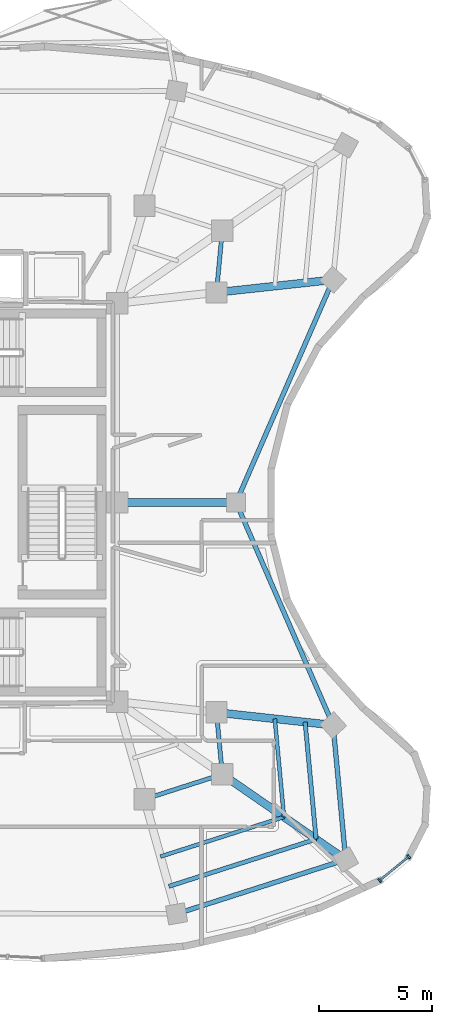
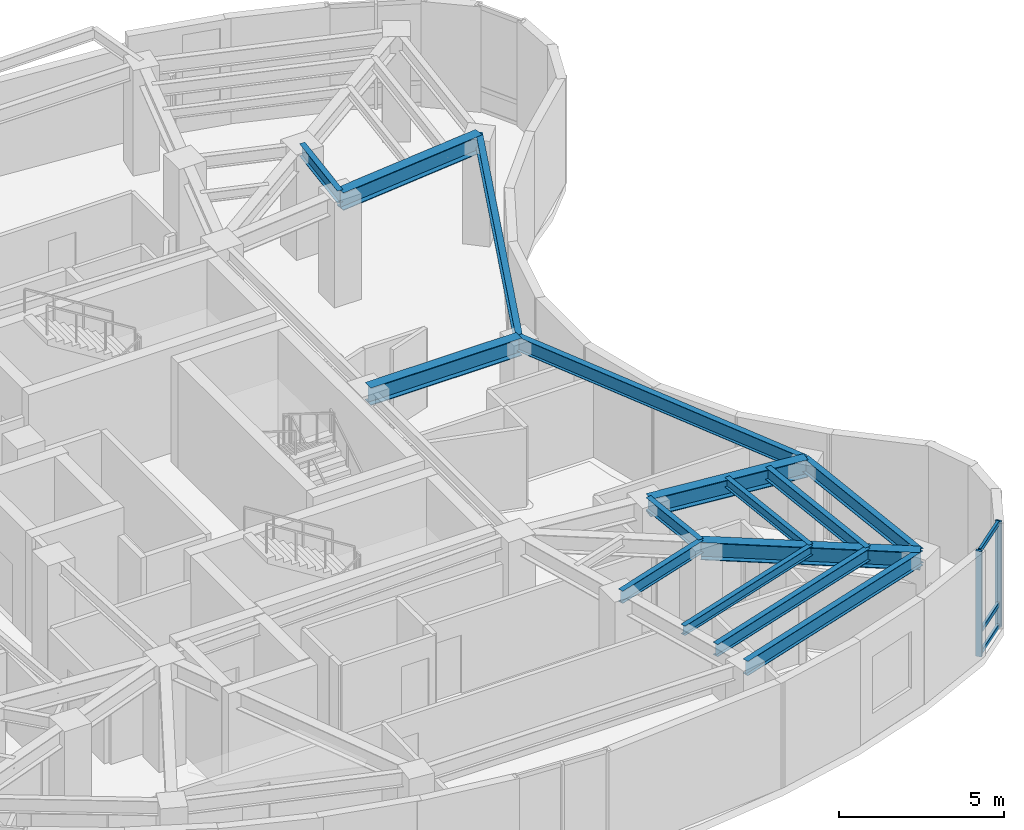
# One storey, part 4 of 14: 15 beams, 5 members, 1 element without a shape of its own.
"""IFC4 building model written with IfcOpenShell, lengths in metres."""

from ifc_helpers import new_model, si_unit, direction, frame, origin, origin_2d, place, context, subcontext, project, spatial, rectangle, i_section, extrude, material, layer, layer_set, material_profile, profile_set, type_object, element, aggregate, save


model = new_model("IFC4")

# Units and contexts
model_context = context("Model", 3, precision=1e-05, world=origin(), true_north=direction((0.0, 1.0)))
body_context = subcontext(model_context, "Body", "Model", "MODEL_VIEW")
ifc_project = project(units=[si_unit("LENGTHUNIT", "METRE"), si_unit("AREAUNIT", "SQUARE_METRE"), si_unit("VOLUMEUNIT", "CUBIC_METRE"), si_unit("PLANEANGLEUNIT", "RADIAN"), si_unit("MASSUNIT", "GRAM", prefix="KILO")], contexts=[model_context])

# Site, building, storey
site_placement = place(None, origin())
site = spatial("IfcSite", under=ifc_project, at=site_placement, CompositionType="ELEMENT")
building_placement = place(site_placement, origin())
building = spatial("IfcBuilding", under=site, at=building_placement, Name="Korentha Bioscience Tower", CompositionType="ELEMENT")
storey_placement = place(building_placement, frame((0.0, 0.0, 264.60009765625)))
storey = spatial("IfcBuildingStorey", under=building, at=storey_placement, Name="L61", CompositionType="ELEMENT", Elevation=264.60009765625)

# Beams
ifc_material_1 = material(Name="Steel S355", Category="steel")
ifc_material_profile_1 = material_profile(ifc_material_1, i_section(OverallWidth=0.18994140625, OverallDepth=0.45703125, WebThickness=0.009033203125, FlangeThickness=0.014404296875, at=origin_2d()), Name="Steel S355")
ifc_profile_set_1 = profile_set([ifc_material_profile_1], Name="Steel S355 (MB-460)")
beam_type_1 = type_object("IfcBeamType", Name="Mid-Ring Tie Girder W460x74", PredefinedType="BEAM", material=ifc_profile_set_1)
beam_1_placement = place(storey_placement, frame((38.76416015625, 13.81103515625, 3.67138671875), z_axis=(0.952264747125, 0.305273404318, 0.0), x_axis=(-0.305273404318, 0.952264747125, 0.0)))
element("IfcBeam", 1, at=beam_1_placement, inside=storey, type_object=beam_type_1, Name="L61 Mid-Ring Tie Girder 12", PredefinedType="BEAM", context=body_context, shape_type="SweptSolid", body=[
    extrude(i_section(OverallWidth=0.18994140625, OverallDepth=0.45703125, WebThickness=0.009033203125, FlangeThickness=0.014404296875, at=origin_2d()), origin(), (0.0, 0.0, 1.0), 3.630859375),
])
for number, where, z_axis, x_axis, name in (
    (2, (42.2216796875, 14.91943359375, 3.67138671875), (-0.093348923855, 0.995633455854, 0.0), (-0.995633455854, -0.093348923855, 0.0), "L61 Mid-Ring Tie Girder 13"),
    (3, (41.9638671875, 36.330810546875, 3.67138671875), (0.093348923855, 0.995633455854, 0.0), (-0.995633455854, 0.093348923855, 0.0), "L61 Mid-Ring Tie Girder 16"),
):
    element("IfcBeam", number, at=place(storey_placement, frame(where, z_axis=z_axis, x_axis=x_axis)), inside=storey, type_object=beam_type_1, Name=name, PredefinedType="BEAM", context=body_context, shape_type="SweptSolid", body=[
        extrude(i_section(OverallWidth=0.18994140625, OverallDepth=0.45703125, WebThickness=0.009033203125, FlangeThickness=0.014404296875, at=origin_2d()), origin(), (0.0, 0.0, 1.0), 2.76171875),
    ])

# Curtain wall, members
ifc_material_2 = material(Name="Thermally Broken Aluminium Frame", Category="aluminium")
ifc_layer = layer(ifc_material_2, 0.219970703125, Name="Thermally Broken Aluminium Frame")
ifc_layer_set = layer_set([ifc_layer], Name="Thermally Broken Aluminium Frame (CW-T1)")
curtain_wall_type = type_object("IfcCurtainWallType", Name="Standard Bioscience Lab Unitised Curtain Wall CW-T1", PredefinedType="USERDEFINED", material=ifc_layer_set)
curtain_wall_placement = place(storey_placement, origin())
curtain_wall = element("IfcCurtainWall", 4, at=curtain_wall_placement, inside=storey, type_object=curtain_wall_type, Name="L61 Curtain Wall 37", ObjectType="UNITISED", PredefinedType="USERDEFINED")
ifc_material_3 = material(Name="Anodised Aluminium 6063-T6", Category="aluminium")
ifc_material_profile_2 = material_profile(ifc_material_3, rectangle(XDim=0.090087890625, YDim=0.199951171875, at=origin_2d()), Name="Anodised Aluminium 6063-T6")
ifc_profile_set_2 = profile_set([ifc_material_profile_2], Name="Anodised Aluminium 6063-T6 (CW-MUL)")
member_type_1 = type_object("IfcMemberType", Name="Mullion RECT 90x200", PredefinedType="MULLION", material=ifc_profile_set_2)
member_1_placement = place(storey_placement, frame((49.212646484375, 10.203125, 0.0), z_axis=(0.0, 0.0, 1.0), x_axis=(0.774235415138, 0.632897718393, 0.0)))
member_1 = element("IfcMember", 5, at=member_1_placement, type_object=member_type_1, Name="CW-L61-37 Mullion 1", PredefinedType="MULLION", context=body_context, shape_type="SweptSolid", body=[
    extrude(rectangle(XDim=0.090087890625, YDim=0.199951171875, at=origin_2d()), origin(), (0.0, 0.0, 1.0), 3.89990234375),
])
member_2_placement = place(storey_placement, frame((50.507080078125, 11.260986328125, 0.0), z_axis=(0.0, 0.0, 1.0), x_axis=(0.774235415138, 0.632897718393, 0.0)))
member_2 = element("IfcMember", 6, at=member_2_placement, type_object=member_type_1, Name="CW-L61-37 Mullion 2", PredefinedType="MULLION", context=body_context, shape_type="SweptSolid", body=[
    extrude(rectangle(XDim=0.090087890625, YDim=0.199951171875, at=origin_2d()), origin(), (0.0, 0.0, 1.0), 3.89990234375),
])

# Beams
ifc_material_profile_3 = material_profile(ifc_material_1, i_section(OverallWidth=0.208984375, OverallDepth=0.532958984375, WebThickness=0.01025390625, FlangeThickness=0.015625, at=origin_2d()), Name="Steel S355")
ifc_profile_set_3 = profile_set([ifc_material_profile_3], Name="Steel S355 (SB-530)")
beam_type_2 = type_object("IfcBeamType", Name="Perimeter Ring Spandrel Girder W530x92", PredefinedType="SPANDREL", material=ifc_profile_set_3)
beam_2_placement = place(storey_placement, frame((40.189453125, 8.7177734375, 3.63330078125), z_axis=(0.952281827014, 0.305220120468, 0.0), x_axis=(-0.305220120468, 0.952281827014, 0.0)))
element("IfcBeam", 7, at=beam_2_placement, inside=storey, type_object=beam_type_2, Name="L61 Perimeter Spandrel Girder 12", PredefinedType="SPANDREL", context=body_context, shape_type="SweptSolid", body=[
    extrude(i_section(OverallWidth=0.208984375, OverallDepth=0.532958984375, WebThickness=0.01025390625, FlangeThickness=0.015625, at=origin_2d()), origin(), (0.0, 0.0, 1.0), 7.893310546875),
])
beam_3_placement = place(storey_placement, frame((47.7060546875, 11.126953125, 3.63330078125), z_axis=(-0.093365902602, 0.995631863809, 0.0), x_axis=(-0.995631863809, -0.093365902602, 0.0)))
element("IfcBeam", 8, at=beam_3_placement, inside=storey, type_object=beam_type_2, Name="L61 Perimeter Spandrel Girder 13", PredefinedType="SPANDREL", context=body_context, shape_type="SweptSolid", body=[
    extrude(i_section(OverallWidth=0.208984375, OverallDepth=0.532958984375, WebThickness=0.01025390625, FlangeThickness=0.015625, at=origin_2d()), origin(), (0.0, 0.0, 1.0), 6.003662109375),
])
for number, where, z_axis, x_axis, name in (
    (9, (47.1455078125, 17.1044921875, 3.63330078125), (-0.399437259894, 0.916760533296, 0.0), (-0.916760533296, -0.399437259894, 0.0), "L61 Perimeter Spandrel Girder 14"),
    (10, (42.833984375, 27.0, 3.63330078125), (0.399437259894, 0.916760533296, 0.0), (-0.916760533296, 0.399437259894, 0.0), "L61 Perimeter Spandrel Girder 15"),
):
    element("IfcBeam", number, at=place(storey_placement, frame(where, z_axis=z_axis, x_axis=x_axis)), inside=storey, type_object=beam_type_2, Name=name, PredefinedType="SPANDREL", context=body_context, shape_type="SweptSolid", body=[
        extrude(i_section(OverallWidth=0.208984375, OverallDepth=0.532958984375, WebThickness=0.01025390625, FlangeThickness=0.015625, at=origin_2d()), origin(), (0.0, 0.0, 1.0), 10.7939453125),
    ])
ifc_material_profile_4 = material_profile(ifc_material_1, i_section(OverallWidth=0.18994140625, OverallDepth=0.45703125, WebThickness=0.009033203125, FlangeThickness=0.014404296875, at=origin_2d()), Name="Steel S355")
ifc_profile_set_4 = profile_set([ifc_material_profile_4], Name="Steel S355 (RB-460)")
beam_type_3 = type_object("IfcBeamType", Name="Radial Laboratory Beam W460x74", PredefinedType="BEAM", material=ifc_profile_set_4)
beam_4_placement = place(storey_placement, frame((39.847412109375, 9.940185546875, 3.67138671875), z_axis=(0.952283347378, 0.305215376917, 0.0), x_axis=(-0.305215376917, 0.952283347378, 0.0)))
element("IfcBeam", 11, at=beam_4_placement, inside=storey, type_object=beam_type_3, Name="L61 Secondary Floor Beam JSTO-12", PredefinedType="BEAM", context=body_context, shape_type="SweptSolid", body=[
    extrude(i_section(OverallWidth=0.18994140625, OverallDepth=0.45703125, WebThickness=0.009033203125, FlangeThickness=0.014404296875, at=origin_2d()), origin(), (0.0, 0.0, 1.0), 6.870361328125),
])
beam_5_placement = place(storey_placement, frame((46.389892578125, 12.037109375, 3.67138671875), z_axis=(-0.093391362324, 0.995629475982, 0.0), x_axis=(-0.995629475982, -0.093391362324, 0.0)))
element("IfcBeam", 12, at=beam_5_placement, inside=storey, type_object=beam_type_3, Name="L61 Secondary Floor Beam JSTO-13", PredefinedType="BEAM", context=body_context, shape_type="SweptSolid", body=[
    extrude(i_section(OverallWidth=0.18994140625, OverallDepth=0.45703125, WebThickness=0.009033203125, FlangeThickness=0.014404296875, at=origin_2d()), origin(), (0.0, 0.0, 1.0), 5.225830078125),
])
ifc_material_profile_5 = material_profile(ifc_material_1, i_section(OverallWidth=0.35009765625, OverallDepth=0.64990234375, WebThickness=0.01611328125, FlangeThickness=0.02490234375, at=origin_2d()), Name="Steel S355")
ifc_profile_set_5 = profile_set([ifc_material_profile_5], Name="Steel S355 (RB-650)")
beam_type_4 = type_object("IfcBeamType", Name="Radial Laboratory Girder CVS 650x208", PredefinedType="BEAM", material=ifc_profile_set_5)
beam_6_placement = place(storey_placement, frame((42.2216796875, 14.91943359375, 3.574951171875), z_axis=(0.822500508627, -0.568764374155, 0.0), x_axis=(0.568764374155, 0.822500508627, 0.0)))
element("IfcBeam", 13, at=beam_6_placement, inside=storey, type_object=beam_type_4, Name="L61 Outer Radial Girder 13", PredefinedType="BEAM", context=body_context, shape_type="SweptSolid", body=[
    extrude(i_section(OverallWidth=0.35009765625, OverallDepth=0.64990234375, WebThickness=0.01611328125, FlangeThickness=0.02490234375, at=origin_2d()), origin(), (0.0, 0.0, 1.0), 6.66796875),
])
beam_7_placement = place(storey_placement, frame((41.9638671875, 17.669189453125, 3.574951171875), z_axis=(0.994114014358, -0.108338942481, 0.0), x_axis=(0.108338942481, 0.994114014358, 0.0)))
element("IfcBeam", 14, at=beam_7_placement, inside=storey, type_object=beam_type_4, Name="L61 Outer Radial Girder 14", PredefinedType="BEAM", context=body_context, shape_type="SweptSolid", body=[
    extrude(i_section(OverallWidth=0.35009765625, OverallDepth=0.64990234375, WebThickness=0.01611328125, FlangeThickness=0.02490234375, at=origin_2d()), origin(), (0.0, 0.0, 1.0), 5.21240234375),
])
beam_8_placement = place(storey_placement, frame((37.550048828125, 27.0, 3.574951171875), z_axis=(1.0, 0.0, 0.0), x_axis=(0.0, 1.0, 0.0)))
element("IfcBeam", 15, at=beam_8_placement, inside=storey, type_object=beam_type_4, Name="L61 Radial Girder 15", PredefinedType="BEAM", context=body_context, shape_type="SweptSolid", body=[
    extrude(i_section(OverallWidth=0.35009765625, OverallDepth=0.64990234375, WebThickness=0.01611328125, FlangeThickness=0.02490234375, at=origin_2d()), origin(), (0.0, 0.0, 1.0), 5.283935546875),
])
beam_9_placement = place(storey_placement, frame((41.9638671875, 36.330810546875, 3.574951171875), z_axis=(0.994114014358, 0.108338942481, 0.0), x_axis=(-0.108338942481, 0.994114014358, 0.0)))
element("IfcBeam", 16, at=beam_9_placement, inside=storey, type_object=beam_type_4, Name="L61 Outer Radial Girder 16", PredefinedType="BEAM", context=body_context, shape_type="SweptSolid", body=[
    extrude(i_section(OverallWidth=0.35009765625, OverallDepth=0.64990234375, WebThickness=0.01611328125, FlangeThickness=0.02490234375, at=origin_2d()), origin(), (0.0, 0.0, 1.0), 5.21240234375),
])
ifc_material_profile_6 = material_profile(ifc_material_1, i_section(OverallWidth=0.1708984375, OverallDepth=0.35498046875, WebThickness=0.007080078125, FlangeThickness=0.01171875, at=origin_2d()), Name="Steel S355")
ifc_profile_set_6 = profile_set([ifc_material_profile_6], Name="Steel S355 (JB-360)")
beam_type_5 = type_object("IfcBeamType", Name="Secondary Laboratory Joist W360x51", PredefinedType="JOIST", material=ifc_profile_set_6)
beam_10_placement = place(storey_placement, frame((39.476806640625, 11.264404296875, 3.722412109375), z_axis=(0.95227644606, 0.30523690845, 0.0), x_axis=(-0.30523690845, 0.95227644606, 0.0)))
element("IfcBeam", 17, at=beam_10_placement, inside=storey, type_object=beam_type_5, Name="L61 Secondary Floor Beam JST-12", PredefinedType="JOIST", context=body_context, shape_type="SweptSolid", body=[
    extrude(i_section(OverallWidth=0.1708984375, OverallDepth=0.35498046875, WebThickness=0.007080078125, FlangeThickness=0.01171875, at=origin_2d()), origin(), (0.0, 0.0, 1.0), 5.761962890625),
])
beam_11_placement = place(storey_placement, frame((44.9638671875, 13.023193359375, 3.722412109375), z_axis=(-0.093363142036, 0.995632122678, 0.0), x_axis=(-0.995632122678, -0.093363142036, 0.0)))
element("IfcBeam", 18, at=beam_11_placement, inside=storey, type_object=beam_type_5, Name="L61 Secondary Floor Beam JST-13", PredefinedType="JOIST", context=body_context, shape_type="SweptSolid", body=[
    extrude(i_section(OverallWidth=0.1708984375, OverallDepth=0.35498046875, WebThickness=0.007080078125, FlangeThickness=0.01171875, at=origin_2d()), origin(), (0.0, 0.0, 1.0), 4.382568359375),
])

# Member
ifc_material_profile_7 = material_profile(ifc_material_3, rectangle(XDim=0.090087890625, YDim=0.159912109375, at=origin_2d()), Name="Anodised Aluminium 6063-T6")
ifc_profile_set_7 = profile_set([ifc_material_profile_7], Name="Anodised Aluminium 6063-T6 (CW-TRN)")
member_type_2 = type_object("IfcMemberType", Name="Transom RECT 90x160", PredefinedType="USERDEFINED", material=ifc_profile_set_7)
member_3_placement = place(storey_placement, frame((49.24755859375, 10.231689453125, 0.044921875), z_axis=(0.77425981368, 0.632867870033, 0.0), x_axis=(-0.632867870033, 0.77425981368, 0.0)))
member_3 = element("IfcMember", 19, at=member_3_placement, type_object=member_type_2, Name="CW-L61-37 Bay 1 Transom 1", ObjectType="TRANSOM", PredefinedType="USERDEFINED", context=body_context, shape_type="SweptSolid", body=[
    extrude(rectangle(XDim=0.090087890625, YDim=0.159912109375, at=origin_2d()), origin(), (0.0, 0.0, 1.0), 1.58154296875),
])

member_4_placement = place(storey_placement, frame((49.24755859375, 10.231689453125, 0.849853515625), z_axis=(0.77425981368, 0.632867870033, 0.0), x_axis=(-0.632867870033, 0.77425981368, 0.0)))
member_4 = element("IfcMember", 20, at=member_4_placement, type_object=member_type_2, Name="CW-L61-37 Bay 1 Transom 2", ObjectType="TRANSOM", PredefinedType="USERDEFINED", context=body_context, shape_type="SweptSolid", body=[
    extrude(rectangle(XDim=0.090087890625, YDim=0.159912109375, at=origin_2d()), origin(), (0.0, 0.0, 1.0), 1.58154296875),
])

member_5_placement = place(storey_placement, frame((49.24755859375, 10.231689453125, 3.85498046875), z_axis=(0.77425981368, 0.632867870033, 0.0), x_axis=(-0.632867870033, 0.77425981368, 0.0)))
member_5 = element("IfcMember", 21, at=member_5_placement, type_object=member_type_2, Name="CW-L61-37 Bay 1 Transom 3", ObjectType="TRANSOM", PredefinedType="USERDEFINED", context=body_context, shape_type="SweptSolid", body=[
    extrude(rectangle(XDim=0.090087890625, YDim=0.159912109375, at=origin_2d()), origin(), (0.0, 0.0, 1.0), 1.58154296875),
])

aggregate(curtain_wall, [member_1, member_2, member_3, member_4, member_5])

save(model, "model.ifc")
